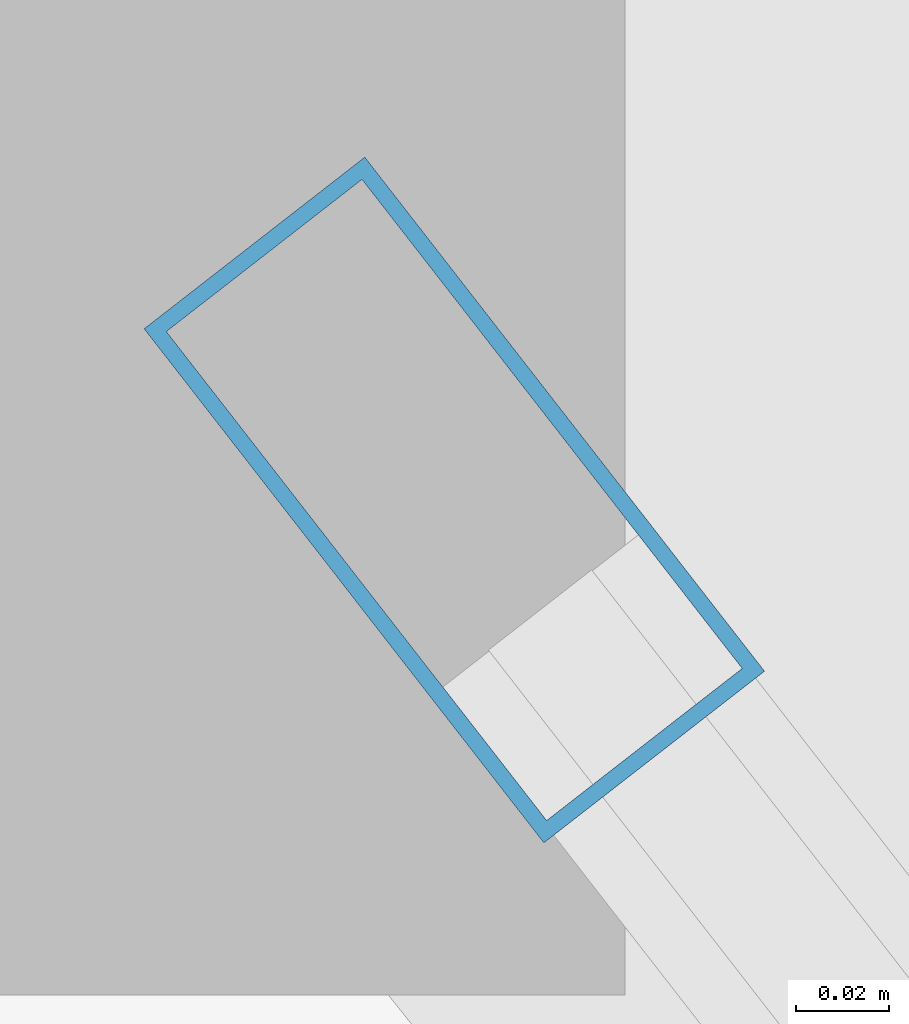
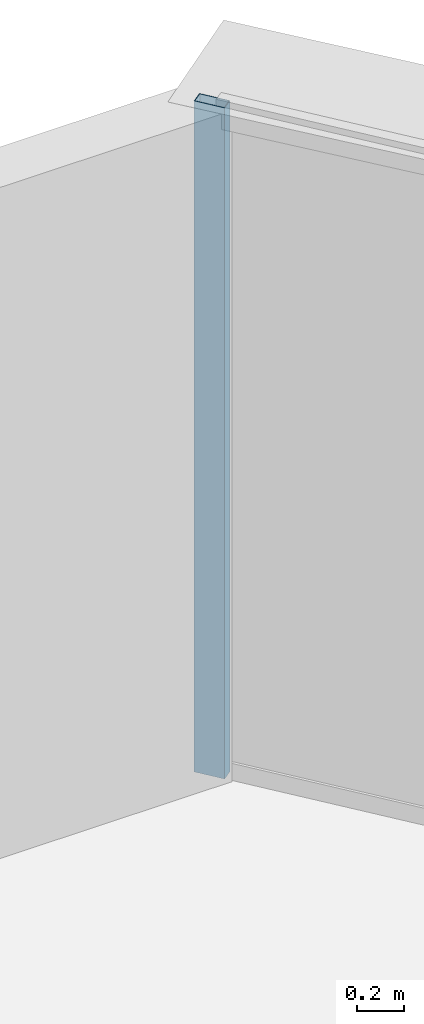
# One storey, part 27 of 35: 1 member, 1 element without a shape of its own.
"""IFC4 building model written with IfcOpenShell, lengths in metres."""

import ifcopenshell
import ifcopenshell.guid

model = None  # the IFC model being written
_history = None  # IfcOwnerHistory: only IFC2X3 demands one
_inside = {}  # id of a spatial element -> (the spatial element, [elements in it])
_under = {}  # id of a project, library or spatial element -> (it, [spatial elements below it])
_declared = {}  # id of a project -> (the project, [libraries it declares])
_typed = {}  # id of a type object -> (the type object, [elements of that type])
_made_of = {}  # id of a material, layer set ... -> (it, [elements and type objects made of it])


def new_model(schema):
    """Start an empty IFC model of exactly this schema.

    Asked for "IFC4X3", IfcOpenShell would pick the latest addendum, in which some entities
    have other attributes; the version numbers below select the first issue.
    IFC2X3 requires an IfcOwnerHistory on every rooted entity: one is made here for all.
    """
    global model, _history
    if schema == "IFC4X3":
        model = ifcopenshell.file(schema_version=(4, 3, 0, 0))
    else:
        model = ifcopenshell.file(schema=schema)
    _inside.clear()
    _under.clear()
    _declared.clear()
    _typed.clear()
    _made_of.clear()
    _history = None
    if model.schema == "IFC2X3":
        org = make("IfcOrganization", Name="unknown")
        user = make(
            "IfcPersonAndOrganization",
            ThePerson=make("IfcPerson", FamilyName="unknown"),
            TheOrganization=org,
        )
        app = make(
            "IfcApplication",
            ApplicationDeveloper=org,
            Version="unknown",
            ApplicationFullName="unknown",
            ApplicationIdentifier="unknown",
        )
        _history = make(
            "IfcOwnerHistory",
            OwningUser=user,
            OwningApplication=app,
            ChangeAction="ADDED",
            CreationDate=0,
        )
    return model


def make(cls, **values):
    """One entity of the class cls with the attributes given. An attribute that is None is left unset."""
    return model.create_entity(
        cls, **{name: value for name, value in values.items() if value is not None}
    )


def rooted(cls, **values):
    """An entity with a GlobalId (a new one), such as an element, a storey or a relation."""
    return make(cls, GlobalId=ifcopenshell.guid.new(), OwnerHistory=_history, **values)


def si_unit(unit_type, name, prefix=None):
    """IfcSIUnit, for example si_unit("LENGTHUNIT", "METRE", prefix="MILLI")."""
    return make("IfcSIUnit", UnitType=unit_type, Prefix=prefix, Name=name)


def assignment(units):
    """IfcUnitAssignment: the units of a project."""
    return None if units is None else make("IfcUnitAssignment", Units=units)


def point(xyz):
    """IfcCartesianPoint."""
    return None if xyz is None else make("IfcCartesianPoint", Coordinates=xyz)


def direction(xyz):
    """IfcDirection."""
    return None if xyz is None else make("IfcDirection", DirectionRatios=xyz)


def frame(location, z_axis=None, x_axis=None):
    """IfcAxis2Placement3D, a coordinate frame: its origin and axes. An axis left out is left unset."""
    return make(
        "IfcAxis2Placement3D",
        Location=point(location),
        Axis=direction(z_axis),
        RefDirection=direction(x_axis),
    )


def frame_2d(location, x_axis=None):
    """IfcAxis2Placement2D, a coordinate frame in the plane: its origin and x axis."""
    return make(
        "IfcAxis2Placement2D", Location=point(location), RefDirection=direction(x_axis)
    )


def origin():
    """The frame at (0, 0, 0) with its axes left unset."""
    return frame((0.0, 0.0, 0.0))


def origin_2d():
    """The frame at (0, 0) in the plane with its x axis left unset."""
    return frame_2d((0.0, 0.0))


def place(relative_to, where):
    """IfcLocalPlacement: puts the frame where relative to a parent placement (None: the world)."""
    return make(
        "IfcLocalPlacement", PlacementRelTo=relative_to, RelativePlacement=where
    )


def context(
    kind, dimensions, precision=None, world=None, true_north=None, identifier=None
):
    """IfcGeometricRepresentationContext, for example the 3D "Model" context."""
    return make(
        "IfcGeometricRepresentationContext",
        ContextIdentifier=identifier,
        ContextType=kind,
        CoordinateSpaceDimension=dimensions,
        Precision=precision,
        WorldCoordinateSystem=world,
        TrueNorth=true_north,
    )


def subcontext(parent, identifier, kind, view, scale=None):
    """IfcGeometricRepresentationSubContext, for example "Body" below "Model"."""
    return make(
        "IfcGeometricRepresentationSubContext",
        ContextIdentifier=identifier,
        ContextType=kind,
        ParentContext=parent,
        TargetScale=scale,
        TargetView=view,
    )


def project(units=None, contexts=None):
    """IfcProject with its units and contexts."""
    return rooted(
        "IfcProject",
        Name="project",
        RepresentationContexts=contexts,
        UnitsInContext=assignment(units),
    )


def spatial(cls, under=None, at=None, **own):
    """A site, building, storey or space (cls), placed at a placement, below another one or the project."""
    s = rooted(cls, ObjectPlacement=at, **own)
    if under is not None:
        _under.setdefault(under.id(), (under, []))[1].append(s)
    return s


def profile(cls, at=None, kind="AREA", **sizes):
    """A parametric profile (cls). Its sizes go by their IFC names, for example OverallWidth=200.0."""
    return make(cls, ProfileType=kind, Position=at, **sizes)


def hollow_rectangle(**sizes):
    """IfcRectangleHollowProfileDef."""
    return profile("IfcRectangleHollowProfileDef", **sizes)


def extrude(swept, where, along, depth):
    """IfcExtrudedAreaSolid: the profile swept, set in the frame where, extruded along a direction by depth."""
    return make(
        "IfcExtrudedAreaSolid",
        SweptArea=swept,
        Position=where,
        ExtrudedDirection=direction(along),
        Depth=depth,
    )


def shape(context_of_items, identifier, shape_type, items):
    """IfcShapeRepresentation: the items that make up one representation, for example the "Body"."""
    return make(
        "IfcShapeRepresentation",
        ContextOfItems=context_of_items,
        RepresentationIdentifier=identifier,
        RepresentationType=shape_type,
        Items=items,
    )


def source(mapping_origin, context_of_items, identifier, shape_type, items):
    """IfcRepresentationMap: a shape defined once, which mapped items show again and again."""
    return make(
        "IfcRepresentationMap",
        MappingOrigin=mapping_origin,
        MappedRepresentation=shape(context_of_items, identifier, shape_type, items),
    )


def transform(
    local_origin,
    x_axis=None,
    y_axis=None,
    z_axis=None,
    scale=None,
    scale2=None,
    scale3=None,
    uniform=True,
):
    """IfcCartesianTransformationOperator3D, or its non-uniform kind. x_axis, y_axis, z_axis: its Axis1, 2, 3."""
    if uniform:
        return make(
            "IfcCartesianTransformationOperator3D",
            Axis1=direction(x_axis),
            Axis2=direction(y_axis),
            LocalOrigin=point(local_origin),
            Scale=scale,
            Axis3=direction(z_axis),
        )
    return make(
        "IfcCartesianTransformationOperator3DnonUniform",
        Axis1=direction(x_axis),
        Axis2=direction(y_axis),
        LocalOrigin=point(local_origin),
        Scale=scale,
        Axis3=direction(z_axis),
        Scale2=scale2,
        Scale3=scale3,
    )


def mapped(mapping_source, mapping_target):
    """IfcMappedItem: shows the shape of a source again, moved by a transform."""
    return make(
        "IfcMappedItem", MappingSource=mapping_source, MappingTarget=mapping_target
    )


def material(Name=None, Category=None):
    """IfcMaterial."""
    return make("IfcMaterial", Name=Name, Category=Category)


def layer(
    of_material, thickness, ventilated=None, Name=None, Category=None, Priority=None
):
    """IfcMaterialLayer: one layer of a wall or slab, of a material (None: an air gap)."""
    return make(
        "IfcMaterialLayer",
        Material=of_material,
        LayerThickness=thickness,
        IsVentilated=ventilated,
        Name=Name,
        Category=Category,
        Priority=Priority,
    )


def layer_set(layers, Name=None):
    """IfcMaterialLayerSet."""
    return make("IfcMaterialLayerSet", MaterialLayers=layers, LayerSetName=Name)


def material_profile(
    of_material, cross_section, Name=None, Category=None, Priority=None
):
    """IfcMaterialProfile: a cross section and its material."""
    return make(
        "IfcMaterialProfile",
        Name=Name,
        Material=of_material,
        Profile=cross_section,
        Priority=Priority,
        Category=Category,
    )


def profile_set(profiles, Name=None, composite=None):
    """IfcMaterialProfileSet."""
    return make(
        "IfcMaterialProfileSet",
        Name=Name,
        MaterialProfiles=profiles,
        CompositeProfile=composite,
    )


def made_of(thing, what):
    """Note that an element or type object is made of a material, layer set ...; save() writes the relation."""
    if what is not None:
        _made_of.setdefault(what.id(), (what, []))[1].append(thing)
    return thing


def type_object(cls, material=None, **own):
    """A type object (cls), such as IfcWallType, which elements share."""
    return made_of(rooted(cls, **own), material)


def element(
    cls,
    number,
    at=None,
    inside=None,
    cuts=None,
    type_object=None,
    material=None,
    context=None,
    identifier="Body",
    shape_type=None,
    held_by="IfcProductDefinitionShape",
    body=None,
    shapes=None,
    **own,
):
    """One element of the class cls, such as IfcWall. Its Tag is "e" and its number.

    at: its placement. inside: the storey or other place that contains it. cuts: it is an
    opening in that element (IfcRelVoidsElement). A single representation is given by context,
    identifier, shape_type and body (its items); several are given by shapes. held_by: the class
    of the entity that holds the representations. save() writes the other relations.
    """
    e = rooted(cls, Tag="e%d" % number, ObjectPlacement=at, **own)
    if body is not None:
        shapes = [shape(context, identifier, shape_type, body)]
    if shapes is not None:
        e.Representation = make(held_by, Representations=shapes)
    if inside is not None:
        _inside.setdefault(inside.id(), (inside, []))[1].append(e)
    if cuts is not None:
        rooted(
            "IfcRelVoidsElement", RelatingBuildingElement=cuts, RelatedOpeningElement=e
        )
    if type_object is not None:
        _typed.setdefault(type_object.id(), (type_object, []))[1].append(e)
    return made_of(e, material)


def aggregate(whole, parts):
    """IfcRelAggregates: a whole, such as a stair, and the parts it consists of."""
    return rooted("IfcRelAggregates", RelatingObject=whole, RelatedObjects=parts)


def save(model, path):
    """Write the relations noted so far, then the file.

    IfcRelAggregates (storeys below a building ...), IfcRelContainedInSpatialStructure (elements
    in a storey), IfcRelDefinesByType, IfcRelAssociatesMaterial and IfcRelDeclares: one each for
    every whole, place, type object, material and project.
    """
    for whole, parts in _under.values():
        aggregate(whole, parts)
    for where, things in _inside.values():
        rooted(
            "IfcRelContainedInSpatialStructure",
            RelatedElements=things,
            RelatingStructure=where,
        )
    for kind, things in _typed.values():
        rooted("IfcRelDefinesByType", RelatedObjects=things, RelatingType=kind)
    for what, things in _made_of.values():
        rooted("IfcRelAssociatesMaterial", RelatedObjects=things, RelatingMaterial=what)
    for by, libraries in _declared.values():
        rooted("IfcRelDeclares", RelatingContext=by, RelatedDefinitions=libraries)
    model.write(path)


model = new_model("IFC4")

# Units and contexts
model_context = context("Model", 3, precision=1e-05, world=origin(), true_north=direction((0.0, 1.0)))
body_context = subcontext(model_context, "Body", "Model", "MODEL_VIEW")
ifc_project = project(units=[si_unit("LENGTHUNIT", "METRE"), si_unit("AREAUNIT", "SQUARE_METRE"), si_unit("VOLUMEUNIT", "CUBIC_METRE"), si_unit("PLANEANGLEUNIT", "RADIAN"), si_unit("MASSUNIT", "GRAM", prefix="KILO"), si_unit("THERMODYNAMICTEMPERATUREUNIT", "KELVIN"), si_unit("POWERUNIT", "WATT")], contexts=[model_context])

# Site, building, storey
site_placement = place(None, origin())
site = spatial("IfcSite", under=ifc_project, at=site_placement, CompositionType="ELEMENT")
building_placement = place(site_placement, origin())
building = spatial("IfcBuilding", under=site, at=building_placement, Name="Yunzhuo Pagoda Commons", CompositionType="ELEMENT")
storey_placement = place(building_placement, frame((0.0, 0.0, 303.669921875)))
storey = spatial("IfcBuildingStorey", under=building, at=storey_placement, Name="L76", CompositionType="ELEMENT", Elevation=303.669921875)

# Curtain wall, member
ifc_material = material(Name="Anodized aluminium 6063-T6", Category="aluminium")
ifc_layer = layer(ifc_material, 0.139892578125)
ifc_layer_set = layer_set([ifc_layer], Name="Anodized aluminium 6063-T6")
curtain_wall_type = type_object("IfcCurtainWallType", Name="CW-HI High-Zone Ribbon Curtain Wall", PredefinedType="NOTDEFINED", material=ifc_layer_set)
curtain_wall_placement = place(storey_placement, origin())
curtain_wall = element("IfcCurtainWall", 1, at=curtain_wall_placement, inside=storey, type_object=curtain_wall_type, Name="L76 curtain wall CW-L76-F2B5", PredefinedType="NOTDEFINED")
ifc_material_profile = material_profile(ifc_material, hollow_rectangle(XDim=0.06005859375, YDim=0.139892578125, WallThickness=0.00341796875, at=origin_2d()), Name="Anodized aluminium 6063-T6")
ifc_profile_set = profile_set([ifc_material_profile], Name="Anodized aluminium 6063-T6")
member_type = type_object("IfcMemberType", Name="CW-HI-M Mullion RHS 140x60x3.5", PredefinedType="MULLION", material=ifc_profile_set)
shared_shape = source(origin(), body_context, "Body", "SweptSolid", [
    extrude(hollow_rectangle(XDim=0.06005859375, YDim=0.139892578125, WallThickness=0.00341796875, at=origin_2d()), origin(), (0.0, 0.0, 1.0), 3.469970703125),
])
member_placement = place(storey_placement, frame((51.401123046875, 74.764404296875, 0.0), z_axis=(0.0, 0.0, 1.0), x_axis=(-0.78943032712, -0.613840173517, 0.0)))
member = element("IfcMember", 2, at=member_placement, type_object=member_type, Name="CW mullion 2", PredefinedType="MULLION", context=body_context, shape_type="MappedRepresentation", body=[
    mapped(shared_shape, transform((0.0, 0.0, 0.0), scale=1.0)),
])
aggregate(curtain_wall, [member])

save(model, "model.ifc")
